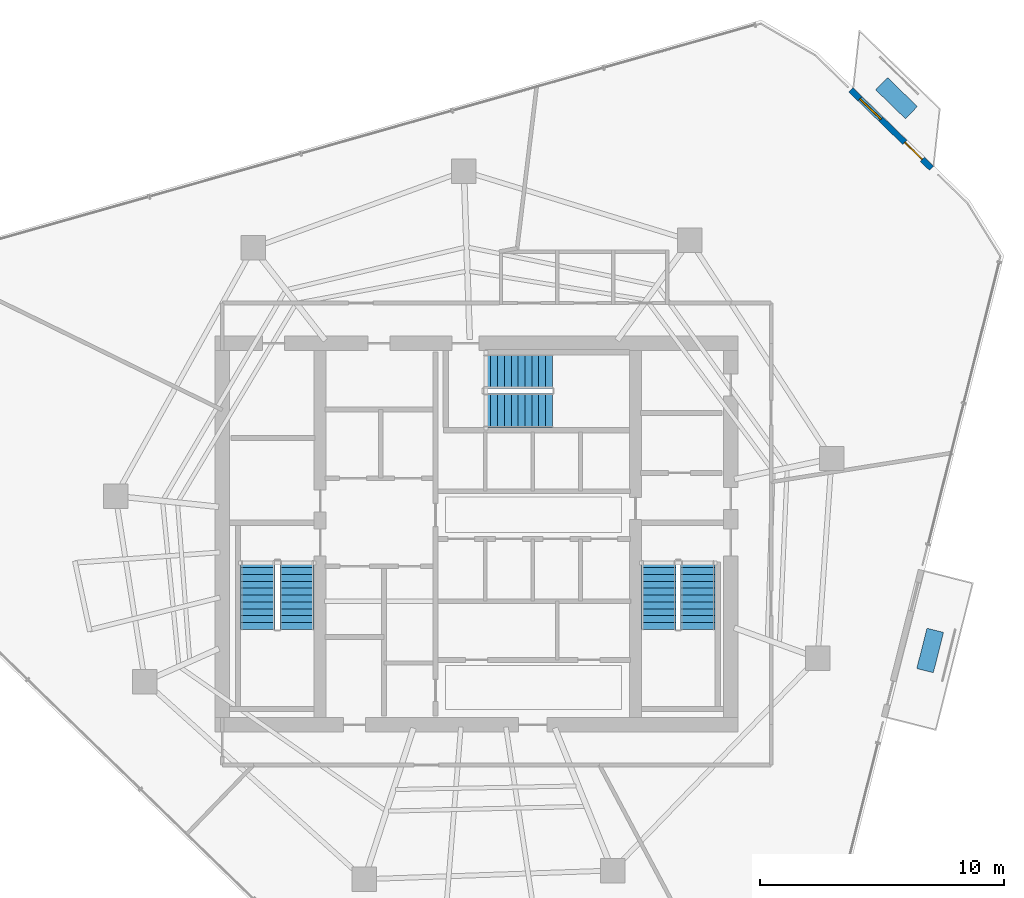
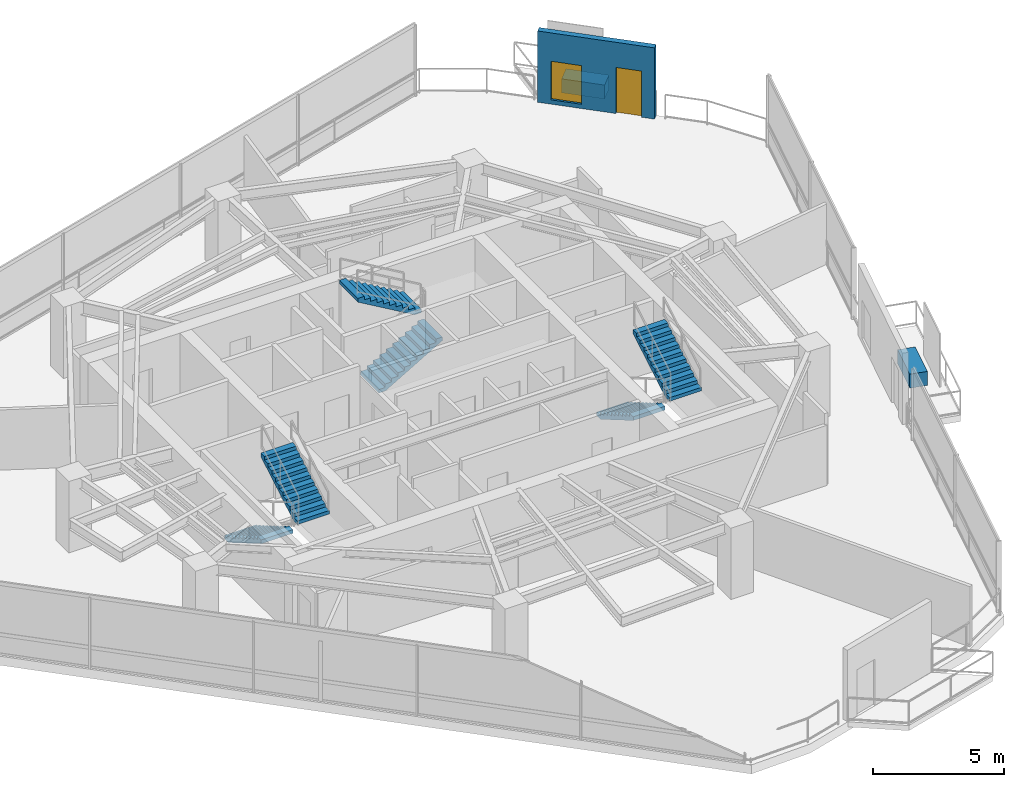
# One storey, part 17 of 19: 6 stair flights, 2 discrete accessories, 1 door, 1 wall, 1 window, 2 openings, 3 elements without a shape of their own.
"""IFC4 building model written with IfcOpenShell, lengths in metres."""

import ifcopenshell
import ifcopenshell.guid

model = None  # the IFC model being written
_history = None  # IfcOwnerHistory: only IFC2X3 demands one
_inside = {}  # id of a spatial element -> (the spatial element, [elements in it])
_under = {}  # id of a project, library or spatial element -> (it, [spatial elements below it])
_declared = {}  # id of a project -> (the project, [libraries it declares])
_typed = {}  # id of a type object -> (the type object, [elements of that type])
_made_of = {}  # id of a material, layer set ... -> (it, [elements and type objects made of it])


def new_model(schema):
    """Start an empty IFC model of exactly this schema.

    Asked for "IFC4X3", IfcOpenShell would pick the latest addendum, in which some entities
    have other attributes; the version numbers below select the first issue.
    IFC2X3 requires an IfcOwnerHistory on every rooted entity: one is made here for all.
    """
    global model, _history
    if schema == "IFC4X3":
        model = ifcopenshell.file(schema_version=(4, 3, 0, 0))
    else:
        model = ifcopenshell.file(schema=schema)
    _inside.clear()
    _under.clear()
    _declared.clear()
    _typed.clear()
    _made_of.clear()
    _history = None
    if model.schema == "IFC2X3":
        org = make("IfcOrganization", Name="unknown")
        user = make(
            "IfcPersonAndOrganization",
            ThePerson=make("IfcPerson", FamilyName="unknown"),
            TheOrganization=org,
        )
        app = make(
            "IfcApplication",
            ApplicationDeveloper=org,
            Version="unknown",
            ApplicationFullName="unknown",
            ApplicationIdentifier="unknown",
        )
        _history = make(
            "IfcOwnerHistory",
            OwningUser=user,
            OwningApplication=app,
            ChangeAction="ADDED",
            CreationDate=0,
        )
    return model


def make(cls, **values):
    """One entity of the class cls with the attributes given. An attribute that is None is left unset."""
    return model.create_entity(
        cls, **{name: value for name, value in values.items() if value is not None}
    )


def rooted(cls, **values):
    """An entity with a GlobalId (a new one), such as an element, a storey or a relation."""
    return make(cls, GlobalId=ifcopenshell.guid.new(), OwnerHistory=_history, **values)


def si_unit(unit_type, name, prefix=None):
    """IfcSIUnit, for example si_unit("LENGTHUNIT", "METRE", prefix="MILLI")."""
    return make("IfcSIUnit", UnitType=unit_type, Prefix=prefix, Name=name)


def assignment(units):
    """IfcUnitAssignment: the units of a project."""
    return None if units is None else make("IfcUnitAssignment", Units=units)


def point(xyz):
    """IfcCartesianPoint."""
    return None if xyz is None else make("IfcCartesianPoint", Coordinates=xyz)


def direction(xyz):
    """IfcDirection."""
    return None if xyz is None else make("IfcDirection", DirectionRatios=xyz)


def frame(location, z_axis=None, x_axis=None):
    """IfcAxis2Placement3D, a coordinate frame: its origin and axes. An axis left out is left unset."""
    return make(
        "IfcAxis2Placement3D",
        Location=point(location),
        Axis=direction(z_axis),
        RefDirection=direction(x_axis),
    )


def frame_2d(location, x_axis=None):
    """IfcAxis2Placement2D, a coordinate frame in the plane: its origin and x axis."""
    return make(
        "IfcAxis2Placement2D", Location=point(location), RefDirection=direction(x_axis)
    )


def origin():
    """The frame at (0, 0, 0) with its axes left unset."""
    return frame((0.0, 0.0, 0.0))


def origin_2d():
    """The frame at (0, 0) in the plane with its x axis left unset."""
    return frame_2d((0.0, 0.0))


def place(relative_to, where):
    """IfcLocalPlacement: puts the frame where relative to a parent placement (None: the world)."""
    return make(
        "IfcLocalPlacement", PlacementRelTo=relative_to, RelativePlacement=where
    )


def context(
    kind, dimensions, precision=None, world=None, true_north=None, identifier=None
):
    """IfcGeometricRepresentationContext, for example the 3D "Model" context."""
    return make(
        "IfcGeometricRepresentationContext",
        ContextIdentifier=identifier,
        ContextType=kind,
        CoordinateSpaceDimension=dimensions,
        Precision=precision,
        WorldCoordinateSystem=world,
        TrueNorth=true_north,
    )


def subcontext(parent, identifier, kind, view, scale=None):
    """IfcGeometricRepresentationSubContext, for example "Body" below "Model"."""
    return make(
        "IfcGeometricRepresentationSubContext",
        ContextIdentifier=identifier,
        ContextType=kind,
        ParentContext=parent,
        TargetScale=scale,
        TargetView=view,
    )


def project(units=None, contexts=None):
    """IfcProject with its units and contexts."""
    return rooted(
        "IfcProject",
        Name="project",
        RepresentationContexts=contexts,
        UnitsInContext=assignment(units),
    )


def spatial(cls, under=None, at=None, **own):
    """A site, building, storey or space (cls), placed at a placement, below another one or the project."""
    s = rooted(cls, ObjectPlacement=at, **own)
    if under is not None:
        _under.setdefault(under.id(), (under, []))[1].append(s)
    return s


def polyline(points):
    """IfcPolyline through the points."""
    return make("IfcPolyline", Points=[point(p) for p in points])


def profile(cls, at=None, kind="AREA", **sizes):
    """A parametric profile (cls). Its sizes go by their IFC names, for example OverallWidth=200.0."""
    return make(cls, ProfileType=kind, Position=at, **sizes)


def rectangle(**sizes):
    """IfcRectangleProfileDef."""
    return profile("IfcRectangleProfileDef", **sizes)


def outline(outer, holes=None, kind="AREA"):
    """IfcArbitraryClosedProfileDef: a profile drawn as a closed curve; with holes, ...WithVoids."""
    if holes is None:
        return make("IfcArbitraryClosedProfileDef", ProfileType=kind, OuterCurve=outer)
    return make(
        "IfcArbitraryProfileDefWithVoids",
        ProfileType=kind,
        OuterCurve=outer,
        InnerCurves=holes,
    )


def extrude(swept, where, along, depth):
    """IfcExtrudedAreaSolid: the profile swept, set in the frame where, extruded along a direction by depth."""
    return make(
        "IfcExtrudedAreaSolid",
        SweptArea=swept,
        Position=where,
        ExtrudedDirection=direction(along),
        Depth=depth,
    )


def shape(context_of_items, identifier, shape_type, items):
    """IfcShapeRepresentation: the items that make up one representation, for example the "Body"."""
    return make(
        "IfcShapeRepresentation",
        ContextOfItems=context_of_items,
        RepresentationIdentifier=identifier,
        RepresentationType=shape_type,
        Items=items,
    )


def material(Name=None, Category=None):
    """IfcMaterial."""
    return make("IfcMaterial", Name=Name, Category=Category)


def layer(
    of_material, thickness, ventilated=None, Name=None, Category=None, Priority=None
):
    """IfcMaterialLayer: one layer of a wall or slab, of a material (None: an air gap)."""
    return make(
        "IfcMaterialLayer",
        Material=of_material,
        LayerThickness=thickness,
        IsVentilated=ventilated,
        Name=Name,
        Category=Category,
        Priority=Priority,
    )


def layer_set(layers, Name=None):
    """IfcMaterialLayerSet."""
    return make("IfcMaterialLayerSet", MaterialLayers=layers, LayerSetName=Name)


def made_of(thing, what):
    """Note that an element or type object is made of a material, layer set ...; save() writes the relation."""
    if what is not None:
        _made_of.setdefault(what.id(), (what, []))[1].append(thing)
    return thing


def type_object(cls, material=None, **own):
    """A type object (cls), such as IfcWallType, which elements share."""
    return made_of(rooted(cls, **own), material)


def element(
    cls,
    number,
    at=None,
    inside=None,
    cuts=None,
    type_object=None,
    material=None,
    context=None,
    identifier="Body",
    shape_type=None,
    held_by="IfcProductDefinitionShape",
    body=None,
    shapes=None,
    **own,
):
    """One element of the class cls, such as IfcWall. Its Tag is "e" and its number.

    at: its placement. inside: the storey or other place that contains it. cuts: it is an
    opening in that element (IfcRelVoidsElement). A single representation is given by context,
    identifier, shape_type and body (its items); several are given by shapes. held_by: the class
    of the entity that holds the representations. save() writes the other relations.
    """
    e = rooted(cls, Tag="e%d" % number, ObjectPlacement=at, **own)
    if body is not None:
        shapes = [shape(context, identifier, shape_type, body)]
    if shapes is not None:
        e.Representation = make(held_by, Representations=shapes)
    if inside is not None:
        _inside.setdefault(inside.id(), (inside, []))[1].append(e)
    if cuts is not None:
        rooted(
            "IfcRelVoidsElement", RelatingBuildingElement=cuts, RelatedOpeningElement=e
        )
    if type_object is not None:
        _typed.setdefault(type_object.id(), (type_object, []))[1].append(e)
    return made_of(e, material)


def fill(opening, filler):
    """IfcRelFillsElement: the door or window that sits in an opening."""
    return rooted(
        "IfcRelFillsElement",
        RelatingOpeningElement=opening,
        RelatedBuildingElement=filler,
    )


def aggregate(whole, parts):
    """IfcRelAggregates: a whole, such as a stair, and the parts it consists of."""
    return rooted("IfcRelAggregates", RelatingObject=whole, RelatedObjects=parts)


def save(model, path):
    """Write the relations noted so far, then the file.

    IfcRelAggregates (storeys below a building ...), IfcRelContainedInSpatialStructure (elements
    in a storey), IfcRelDefinesByType, IfcRelAssociatesMaterial and IfcRelDeclares: one each for
    every whole, place, type object, material and project.
    """
    for whole, parts in _under.values():
        aggregate(whole, parts)
    for where, things in _inside.values():
        rooted(
            "IfcRelContainedInSpatialStructure",
            RelatedElements=things,
            RelatingStructure=where,
        )
    for kind, things in _typed.values():
        rooted("IfcRelDefinesByType", RelatedObjects=things, RelatingType=kind)
    for what, things in _made_of.values():
        rooted("IfcRelAssociatesMaterial", RelatedObjects=things, RelatingMaterial=what)
    for by, libraries in _declared.values():
        rooted("IfcRelDeclares", RelatingContext=by, RelatedDefinitions=libraries)
    model.write(path)


model = new_model("IFC4")

# Units and contexts
model_context = context("Model", 3, precision=1e-05, world=origin(), true_north=direction((0.0, 1.0)))
body_context = subcontext(model_context, "Body", "Model", "MODEL_VIEW")
ifc_project = project(units=[si_unit("LENGTHUNIT", "METRE"), si_unit("AREAUNIT", "SQUARE_METRE"), si_unit("VOLUMEUNIT", "CUBIC_METRE"), si_unit("PLANEANGLEUNIT", "RADIAN"), si_unit("MASSUNIT", "GRAM", prefix="KILO")], contexts=[model_context])

# Site, building, storey
site_placement = place(None, origin())
site = spatial("IfcSite", under=ifc_project, at=site_placement, CompositionType="ELEMENT")
building_placement = place(site_placement, origin())
building = spatial("IfcBuilding", under=site, at=building_placement, Name="Qarnah Convention Tower", CompositionType="ELEMENT")
storey_placement = place(building_placement, frame((0.0, 0.0, 125.699951171875)))
storey = spatial("IfcBuildingStorey", under=building, at=storey_placement, Name="L33", CompositionType="ELEMENT", Elevation=125.699951171875)

# Wall, openings, door, window
ifc_material_1 = material(Name="Precast concrete C45/55", Category="concrete")
ifc_layer = layer(ifc_material_1, 0.239990234375)
ifc_layer_set = layer_set([ifc_layer], Name="Precast concrete C45/55")
wall_type = type_object("IfcWallType", Name="WL-EXT-BAL-240", PredefinedType="SOLIDWALL", material=ifc_layer_set)
wall_placement = place(storey_placement, frame((52.510986328125, 44.56591796875, 0.0), z_axis=(0.0, 0.0, 1.0), x_axis=(0.717380168639, -0.696681917121, 0.0)))
wall = element("IfcWall", 1, at=wall_placement, inside=storey, type_object=wall_type, Name="L33 loggia threshold wall BAL-L33-C1", PredefinedType="SOLIDWALL", context=body_context, shape_type="SweptSolid", body=[
    extrude(rectangle(XDim=4.60009765625, YDim=0.239990234375, at=frame_2d((2.300048828125, 0.0))), origin(), (0.0, 0.0, 1.0), 3.320068359375),
])
opening_1_placement = place(wall_placement, frame((3.080078125, 0.0, 0.0)))
opening_1 = element("IfcOpeningElement", 2, at=opening_1_placement, cuts=wall, Name="Opening BD-3301", PredefinedType="OPENING", context=body_context, shape_type="SweptSolid", body=[
    extrude(rectangle(XDim=1.0, YDim=2.14990234375, at=frame_2d((0.5, 1.074951171875))), frame((0.0, 0.1298828125, 0.0), z_axis=(0.0, -1.0, 0.0), x_axis=(1.0, 0.0, 0.0)), (0.0, 0.0, 1.0), 0.260009765625),
])
opening_2_placement = place(wall_placement, frame((0.52001953125, 0.0, 0.199951171875)))
opening_2 = element("IfcOpeningElement", 3, at=opening_2_placement, cuts=wall, Name="Opening WN5", PredefinedType="OPENING", context=body_context, shape_type="SweptSolid", body=[
    extrude(rectangle(XDim=1.199951171875, YDim=1.800048828125, at=frame_2d((0.60009765625, 0.89990234375))), frame((0.0, 0.1298828125, 0.0), z_axis=(0.0, -1.0, 0.0), x_axis=(1.0, 0.0, 0.0)), (0.0, 0.0, 1.0), 0.260009765625),
])
ifc_material_2 = material(Name="Black anodised aluminium", Category="aluminium")
door_type = type_object("IfcDoorType", Name="DT-BAL-1000", OperationType="NOTDEFINED", PredefinedType="DOOR", material=ifc_material_2)
door_placement = place(opening_1_placement, origin())
door = element("IfcDoor", 4, at=door_placement, inside=storey, type_object=door_type, Name="L33 balcony terrace door BAL-L33-C1", OperationType="SINGLE_SWING_LEFT", OverallHeight=2.14990234375, OverallWidth=1.0, PredefinedType="DOOR", context=body_context, shape_type="SweptSolid", body=[
    extrude(rectangle(XDim=1.0, YDim=2.14990234375, at=frame_2d((0.5, 1.074951171875))), frame((0.0, 0.02490234375, 0.0), z_axis=(0.0, -1.0, 0.0), x_axis=(1.0, 0.0, 0.0)), (0.0, 0.0, 1.0), 0.050048828125),
])
fill(opening_1, door)
ifc_material_3 = material(Name="Tempered Low-E dark glass", Category="glass")
window_type = type_object("IfcWindowType", Name="WT-BAL-1200X1800", PartitioningType="SINGLE_PANEL", PredefinedType="WINDOW", material=ifc_material_3)
window_placement = place(opening_2_placement, origin())
window = element("IfcWindow", 5, at=window_placement, inside=storey, type_object=window_type, Name="Window BW-BAL-L33-C1", OverallHeight=1.800048828125, OverallWidth=1.199951171875, PartitioningType="SINGLE_PANEL", PredefinedType="WINDOW", context=body_context, shape_type="SweptSolid", body=[
    extrude(rectangle(XDim=1.199951171875, YDim=1.800048828125, at=frame_2d((0.60009765625, 0.89990234375))), frame((0.0, 0.030029296875, 0.0), z_axis=(0.0, -1.0, 0.0), x_axis=(1.0, 0.0, 0.0)), (0.0, 0.0, 1.0), 0.06005859375),
])
fill(opening_2, window)

# Stair, stair flights
ifc_material_4 = material(Name="Concrete C50/60", Category="concrete")
stair_type = type_object("IfcStairType", Name="STR-OFF", PredefinedType="HALF_TURN_STAIR", material=ifc_material_4)
stair_1_placement = place(storey_placement, origin())
stair_1 = element("IfcStair", 6, at=stair_1_placement, inside=storey, type_object=stair_type, Name="L33 Core exit stair ST-1", PredefinedType="HALF_TURN_STAIR")
stair_flight_type = type_object("IfcStairFlightType", Name="FLT-OFF", PredefinedType="STRAIGHT", material=ifc_material_4)
stair_flight_1_placement = place(storey_placement, frame((28.25, 25.300048828125, 0.0), z_axis=(0.0, 0.0, 1.0), x_axis=(0.0, -1.0, 0.0)))
stair_flight_1 = element("IfcStairFlight", 7, at=stair_flight_1_placement, type_object=stair_flight_type, Name="ST-1 flight 1", NumberOfRisers=11, NumberOfTreads=10, PredefinedType="STRAIGHT", RiserHeight=0.163636364, TreadLength=0.28, context=body_context, shape_type="SweptSolid", body=[
    extrude(outline(polyline([(0.0, 0.0), (0.0, 0.16357421875), (0.280029296875, 0.16357421875), (0.280029296875, 0.327392578125), (0.56005859375, 0.327392578125), (0.56005859375, 0.490966796875), (0.840087890625, 0.490966796875), (0.840087890625, 0.654541015625), (1.1201171875, 0.654541015625), (1.1201171875, 0.818115234375), (1.39990234375, 0.818115234375), (1.39990234375, 0.98193359375), (1.679931640625, 0.98193359375), (1.679931640625, 1.1455078125), (1.9599609375, 1.1455078125), (1.9599609375, 1.30908203125), (2.239990234375, 1.30908203125), (2.239990234375, 1.47265625), (2.52001953125, 1.47265625), (2.52001953125, 1.636474609375), (2.800048828125, 1.636474609375), (2.800048828125, 1.800048828125), (2.800048828125, 1.462646484375), (0.297119140625, 0.0), (0.0, 0.0)])), frame((0.0, 0.699951171875, 0.0), z_axis=(0.0, -1.0, 0.0), x_axis=(1.0, 0.0, 0.0)), (0.0, 0.0, 1.0), 1.39990234375),
])
stair_flight_2_placement = place(storey_placement, frame((29.85009765625, 22.5, 1.800048828125), z_axis=(0.0, 0.0, 1.0), x_axis=(0.0, 1.0, 0.0)))
stair_flight_2 = element("IfcStairFlight", 8, at=stair_flight_2_placement, type_object=stair_flight_type, Name="ST-1 flight 2", NumberOfRisers=11, NumberOfTreads=10, PredefinedType="STRAIGHT", RiserHeight=0.163636364, TreadLength=0.28, context=body_context, shape_type="SweptSolid", body=[
    extrude(outline(polyline([(0.0, 0.0), (0.0, 0.16357421875), (0.280029296875, 0.16357421875), (0.280029296875, 0.327392578125), (0.56005859375, 0.327392578125), (0.56005859375, 0.490966796875), (0.840087890625, 0.490966796875), (0.840087890625, 0.654541015625), (1.1201171875, 0.654541015625), (1.1201171875, 0.818115234375), (1.39990234375, 0.818115234375), (1.39990234375, 0.98193359375), (1.679931640625, 0.98193359375), (1.679931640625, 1.1455078125), (1.9599609375, 1.1455078125), (1.9599609375, 1.30908203125), (2.239990234375, 1.30908203125), (2.239990234375, 1.47265625), (2.52001953125, 1.47265625), (2.52001953125, 1.636474609375), (2.800048828125, 1.636474609375), (2.800048828125, 1.800048828125), (2.800048828125, 1.462646484375), (0.297119140625, 0.0), (0.0, 0.0)])), frame((0.0, 0.699951171875, 0.0), z_axis=(0.0, -1.0, 0.0), x_axis=(1.0, 0.0, 0.0)), (0.0, 0.0, 1.0), 1.39990234375),
])
aggregate(stair_1, [stair_flight_1, stair_flight_2])

stair_2_placement = place(storey_placement, origin())
stair_2 = element("IfcStair", 9, at=stair_2_placement, inside=storey, type_object=stair_type, Name="L33 Core exit stair ST-2", PredefinedType="HALF_TURN_STAIR")
stair_flight_3_placement = place(storey_placement, frame((44.64990234375, 25.300048828125, 0.0), z_axis=(0.0, 0.0, 1.0), x_axis=(0.0, -1.0, 0.0)))
stair_flight_3 = element("IfcStairFlight", 10, at=stair_flight_3_placement, type_object=stair_flight_type, Name="ST-2 flight 1", NumberOfRisers=11, NumberOfTreads=10, PredefinedType="STRAIGHT", RiserHeight=0.163636364, TreadLength=0.28, context=body_context, shape_type="SweptSolid", body=[
    extrude(outline(polyline([(0.0, 0.0), (0.0, 0.16357421875), (0.280029296875, 0.16357421875), (0.280029296875, 0.327392578125), (0.56005859375, 0.327392578125), (0.56005859375, 0.490966796875), (0.840087890625, 0.490966796875), (0.840087890625, 0.654541015625), (1.1201171875, 0.654541015625), (1.1201171875, 0.818115234375), (1.39990234375, 0.818115234375), (1.39990234375, 0.98193359375), (1.679931640625, 0.98193359375), (1.679931640625, 1.1455078125), (1.9599609375, 1.1455078125), (1.9599609375, 1.30908203125), (2.239990234375, 1.30908203125), (2.239990234375, 1.47265625), (2.52001953125, 1.47265625), (2.52001953125, 1.636474609375), (2.800048828125, 1.636474609375), (2.800048828125, 1.800048828125), (2.800048828125, 1.462646484375), (0.297119140625, 0.0), (0.0, 0.0)])), frame((0.0, 0.699951171875, 0.0), z_axis=(0.0, -1.0, 0.0), x_axis=(1.0, 0.0, 0.0)), (0.0, 0.0, 1.0), 1.39990234375),
])
stair_flight_4_placement = place(storey_placement, frame((46.25, 22.5, 1.800048828125), z_axis=(0.0, 0.0, 1.0), x_axis=(0.0, 1.0, 0.0)))
stair_flight_4 = element("IfcStairFlight", 11, at=stair_flight_4_placement, type_object=stair_flight_type, Name="ST-2 flight 2", NumberOfRisers=11, NumberOfTreads=10, PredefinedType="STRAIGHT", RiserHeight=0.163636364, TreadLength=0.28, context=body_context, shape_type="SweptSolid", body=[
    extrude(outline(polyline([(0.0, 0.0), (0.0, 0.16357421875), (0.280029296875, 0.16357421875), (0.280029296875, 0.327392578125), (0.56005859375, 0.327392578125), (0.56005859375, 0.490966796875), (0.840087890625, 0.490966796875), (0.840087890625, 0.654541015625), (1.1201171875, 0.654541015625), (1.1201171875, 0.818115234375), (1.39990234375, 0.818115234375), (1.39990234375, 0.98193359375), (1.679931640625, 0.98193359375), (1.679931640625, 1.1455078125), (1.9599609375, 1.1455078125), (1.9599609375, 1.30908203125), (2.239990234375, 1.30908203125), (2.239990234375, 1.47265625), (2.52001953125, 1.47265625), (2.52001953125, 1.636474609375), (2.800048828125, 1.636474609375), (2.800048828125, 1.800048828125), (2.800048828125, 1.462646484375), (0.297119140625, 0.0), (0.0, 0.0)])), frame((0.0, 0.699951171875, 0.0), z_axis=(0.0, -1.0, 0.0), x_axis=(1.0, 0.0, 0.0)), (0.0, 0.0, 1.0), 1.39990234375),
])
aggregate(stair_2, [stair_flight_3, stair_flight_4])

stair_3_placement = place(storey_placement, origin())
stair_3 = element("IfcStair", 12, at=stair_3_placement, inside=storey, type_object=stair_type, Name="L33 Core exit stair ST-3", PredefinedType="HALF_TURN_STAIR")
stair_flight_5_placement = place(storey_placement, frame((37.5, 31.449951171875, 0.0), z_axis=(0.0, 0.0, 1.0), x_axis=(1.0, 0.0, 0.0)))
stair_flight_5 = element("IfcStairFlight", 13, at=stair_flight_5_placement, type_object=stair_flight_type, Name="ST-3 flight 1", NumberOfRisers=11, NumberOfTreads=10, PredefinedType="STRAIGHT", RiserHeight=0.163636364, TreadLength=0.28, context=body_context, shape_type="SweptSolid", body=[
    extrude(outline(polyline([(0.0, 0.0), (0.0, 0.16357421875), (0.280029296875, 0.16357421875), (0.280029296875, 0.327392578125), (0.56005859375, 0.327392578125), (0.56005859375, 0.490966796875), (0.840087890625, 0.490966796875), (0.840087890625, 0.654541015625), (1.1201171875, 0.654541015625), (1.1201171875, 0.818115234375), (1.39990234375, 0.818115234375), (1.39990234375, 0.98193359375), (1.679931640625, 0.98193359375), (1.679931640625, 1.1455078125), (1.9599609375, 1.1455078125), (1.9599609375, 1.30908203125), (2.239990234375, 1.30908203125), (2.239990234375, 1.47265625), (2.52001953125, 1.47265625), (2.52001953125, 1.636474609375), (2.800048828125, 1.636474609375), (2.800048828125, 1.800048828125), (2.800048828125, 1.462646484375), (0.297119140625, 0.0), (0.0, 0.0)])), frame((0.0, 0.699951171875, 0.0), z_axis=(0.0, -1.0, 0.0), x_axis=(1.0, 0.0, 0.0)), (0.0, 0.0, 1.0), 1.39990234375),
])
stair_flight_6_placement = place(storey_placement, frame((40.300048828125, 33.050048828125, 1.800048828125), z_axis=(0.0, 0.0, 1.0), x_axis=(-1.0, 0.0, 0.0)))
stair_flight_6 = element("IfcStairFlight", 14, at=stair_flight_6_placement, type_object=stair_flight_type, Name="ST-3 flight 2", NumberOfRisers=11, NumberOfTreads=10, PredefinedType="STRAIGHT", RiserHeight=0.163636364, TreadLength=0.28, context=body_context, shape_type="SweptSolid", body=[
    extrude(outline(polyline([(0.0, 0.0), (0.0, 0.16357421875), (0.280029296875, 0.16357421875), (0.280029296875, 0.327392578125), (0.56005859375, 0.327392578125), (0.56005859375, 0.490966796875), (0.840087890625, 0.490966796875), (0.840087890625, 0.654541015625), (1.1201171875, 0.654541015625), (1.1201171875, 0.818115234375), (1.39990234375, 0.818115234375), (1.39990234375, 0.98193359375), (1.679931640625, 0.98193359375), (1.679931640625, 1.1455078125), (1.9599609375, 1.1455078125), (1.9599609375, 1.30908203125), (2.239990234375, 1.30908203125), (2.239990234375, 1.47265625), (2.52001953125, 1.47265625), (2.52001953125, 1.636474609375), (2.800048828125, 1.636474609375), (2.800048828125, 1.800048828125), (2.800048828125, 1.462646484375), (0.297119140625, 0.0), (0.0, 0.0)])), frame((0.0, 0.699951171875, 0.0), z_axis=(0.0, -1.0, 0.0), x_axis=(1.0, 0.0, 0.0)), (0.0, 0.0, 1.0), 1.39990234375),
])
aggregate(stair_3, [stair_flight_5, stair_flight_6])

# Discrete accessories
discrete_accessory_type = type_object("IfcDiscreteAccessoryType", Name="ACC-PLANTER-900", PredefinedType="USERDEFINED", material=ifc_material_1)
for number, where, z_axis, x_axis, name in (
    (15, (54.381103515625, 44.22802734375, 0.0), (0.0, 0.0, 1.0), (-0.717397145963, 0.696664434978, 0.0), "L33 irrigated desert balcony PLANTER BAL-L33-C1"),
    (16, (55.757080078125, 21.634033203125, 0.0), (0.0, 0.0, 1.0), (0.244461291916, 0.969659051809, 0.0), "L33 irrigated desert balcony PLANTER SG-L33"),
):
    element("IfcDiscreteAccessory", number, at=place(storey_placement, frame(where, z_axis=z_axis, x_axis=x_axis)), inside=storey, type_object=discrete_accessory_type, Name=name, ObjectType="PLANTER", PredefinedType="USERDEFINED", context=body_context, shape_type="SweptSolid", body=[
        extrude(rectangle(XDim=1.699951171875, YDim=0.699951171875, at=origin_2d()), origin(), (0.0, 0.0, 1.0), 0.64990234375),
    ])

save(model, "model.ifc")
